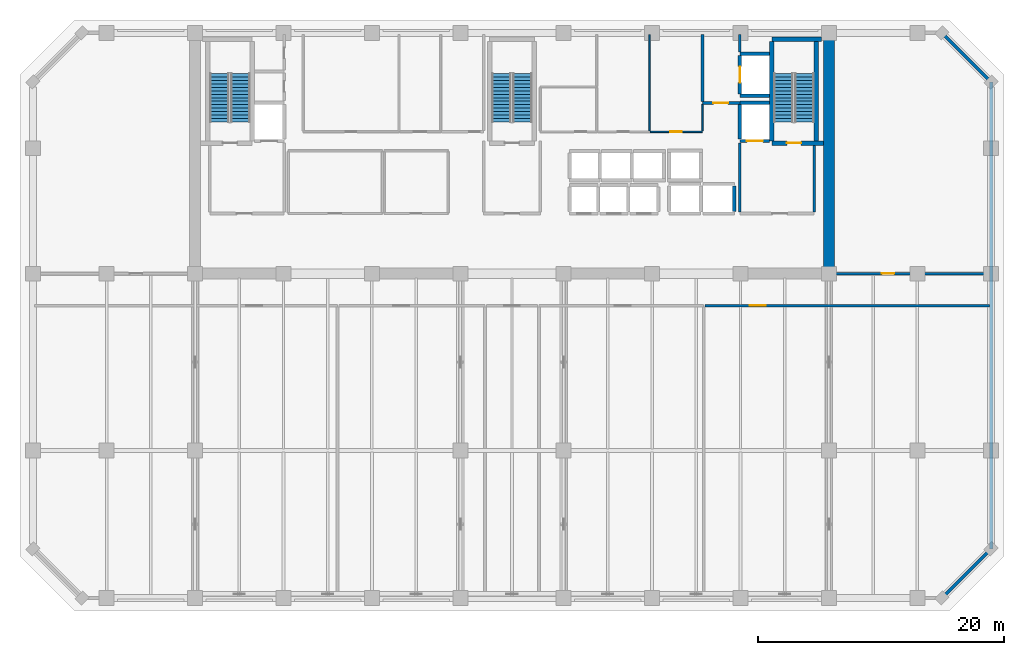
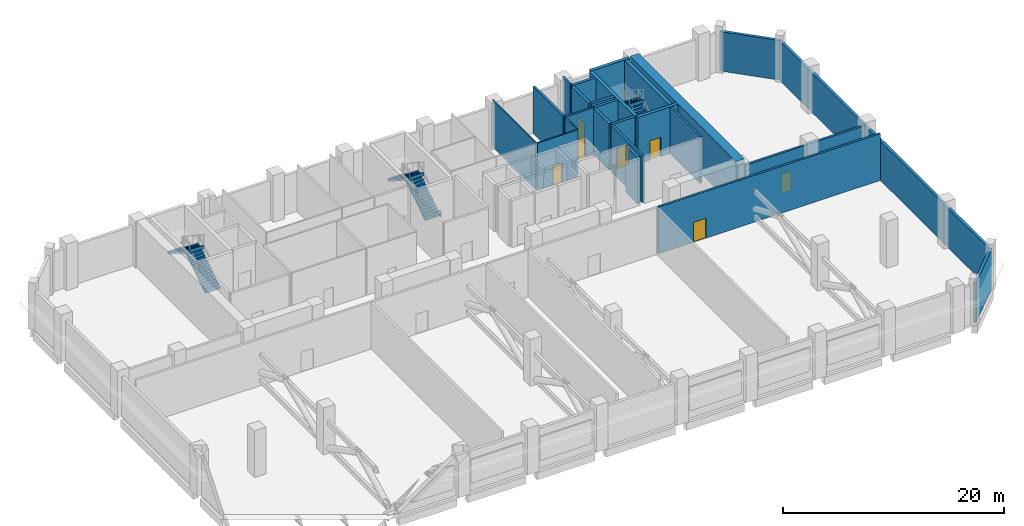
# One storey, part 10 of 13: 25 walls, 7 doors, 6 stair flights, 7 openings, 3 elements without a shape of their own.
"""IFC4 building model written with IfcOpenShell, lengths in metres."""

from ifc_helpers import new_model, si_unit, direction, frame, frame_2d, origin, place, context, subcontext, project, spatial, polyline, rectangle, outline, extrude, material, layer, layer_set, type_object, element, fill, aggregate, save


model = new_model("IFC4")

# Units and contexts
model_context = context("Model", 3, precision=1e-05, world=origin(), true_north=direction((0.0, 1.0)))
body_context = subcontext(model_context, "Body", "Model", "MODEL_VIEW")
ifc_project = project(units=[si_unit("LENGTHUNIT", "METRE"), si_unit("AREAUNIT", "SQUARE_METRE"), si_unit("VOLUMEUNIT", "CUBIC_METRE"), si_unit("PLANEANGLEUNIT", "RADIAN"), si_unit("MASSUNIT", "GRAM", prefix="KILO")], contexts=[model_context])

# Site, building, storey
site_placement = place(None, origin())
site = spatial("IfcSite", under=ifc_project, at=site_placement, CompositionType="ELEMENT")
building_placement = place(site_placement, origin())
building = spatial("IfcBuilding", under=site, at=building_placement, Name="Kaelvorn Grand Hotel", CompositionType="ELEMENT")
storey_placement = place(building_placement, frame((0.0, 0.0, 184.75)))
storey = spatial("IfcBuildingStorey", under=building, at=storey_placement, Name="L45", CompositionType="ELEMENT", Elevation=184.75)

# Walls
ifc_material_1 = material(Name="Concrete C60/75", Category="concrete")
ifc_layer_1 = layer(ifc_material_1, 0.89990234375)
ifc_layer_set_1 = layer_set([ifc_layer_1], Name="Concrete C60/75")
wall_type_1 = type_object("IfcWallType", Name="WL-CORE-900-C60", PredefinedType="SHEAR", material=ifc_layer_set_1)
wall_1_placement = place(storey_placement, frame((67.800048828125, 29.39990234375, 0.0), z_axis=(0.0, 0.0, 1.0), x_axis=(0.0, 1.0, 0.0)))
element("IfcWall", 1, at=wall_1_placement, inside=storey, type_object=wall_type_1, Name="L45 Rear-Core East Shear Wall", PredefinedType="SHEAR", context=body_context, shape_type="SweptSolid", body=[
    extrude(rectangle(XDim=19.2001953125, YDim=0.89990234375, at=frame_2d((9.60009765625, 0.0))), origin(), (0.0, 0.0, 1.0), 5.159912109375),
])
ifc_material_2 = material(Name="Concrete C40/50", Category="concrete")
ifc_layer_2 = layer(ifc_material_2, 0.280029296875)
ifc_layer_set_2 = layer_set([ifc_layer_2], Name="Concrete C40/50")
wall_type_2 = type_object("IfcWallType", Name="WL-EXT-280-C40", PredefinedType="SOLIDWALL", material=ifc_layer_set_2)
wall_2_placement = place(storey_placement, frame((77.0, 3.0, 0.0), z_axis=(0.0, 0.0, 1.0), x_axis=(0.707106781187, 0.707106781187, 0.0)))
element("IfcWall", 2, at=wall_2_placement, inside=storey, type_object=wall_type_2, Name="L45 Exterior Architectural Concrete Wall 02", PredefinedType="SOLIDWALL", context=body_context, shape_type="SweptSolid", body=[
    extrude(rectangle(XDim=5.65673828125, YDim=0.280029296875, at=frame_2d((2.828369140625, 0.0))), origin(), (0.0, 0.0, 1.0), 4.360107421875),
])
wall_3_placement = place(storey_placement, frame((81.0, 7.0, 0.0), z_axis=(0.0, 0.0, 1.0), x_axis=(0.0, 1.0, 0.0)))
element("IfcWall", 3, at=wall_3_placement, inside=storey, type_object=wall_type_2, Name="L45 Exterior Architectural Concrete Wall 03", PredefinedType="SOLIDWALL", context=body_context, shape_type="SweptSolid", body=[
    extrude(rectangle(XDim=38.0, YDim=0.280029296875, at=frame_2d((19.0, 0.0))), origin(), (0.0, 0.0, 1.0), 4.360107421875),
])
wall_4_placement = place(storey_placement, frame((81.0, 45.0, 0.0), z_axis=(0.0, 0.0, 1.0), x_axis=(-0.707106781187, 0.707106781187, 0.0)))
element("IfcWall", 4, at=wall_4_placement, inside=storey, type_object=wall_type_2, Name="L45 Exterior Architectural Concrete Wall 04", PredefinedType="SOLIDWALL", context=body_context, shape_type="SweptSolid", body=[
    extrude(rectangle(XDim=5.65673828125, YDim=0.280029296875, at=frame_2d((2.828369140625, 0.0))), origin(), (0.0, 0.0, 1.0), 4.360107421875),
])
ifc_material_3 = material(Name="Moisture-Resistant Tile & Stud Board")
ifc_layer_3 = layer(ifc_material_3, 0.125)
ifc_layer_set_3 = layer_set([ifc_layer_3], Name="Moisture-Resistant Tile & Stud Board")
wall_type_3 = type_object("IfcWallType", Name="WL-PART-125-WET", PredefinedType="PARTITIONING", material=ifc_layer_set_3)
wall_5_placement = place(storey_placement, frame((53.199951171875, 41.017578125, 0.0), z_axis=(0.0, 0.0, 1.0), x_axis=(0.0, 1.0, 0.0)))
element("IfcWall", 5, at=wall_5_placement, inside=storey, type_object=wall_type_3, Name="L45 Male Public Toilets E Partition", PredefinedType="PARTITIONING", context=body_context, shape_type="SweptSolid", body=[
    extrude(rectangle(XDim=7.83251953125, YDim=0.125, at=frame_2d((3.916259765625, 0.0))), origin(), (0.0, 0.0, 1.0), 5.159912109375),
])

# Wall, opening, door
wall_6_placement = place(storey_placement, frame((53.267578125, 40.949951171875, 0.0), z_axis=(0.0, 0.0, 1.0), x_axis=(1.0, 0.0, 0.0)))
wall_6 = element("IfcWall", 6, at=wall_6_placement, inside=storey, type_object=wall_type_3, Name="L45 Female Public Toilets S Partition", PredefinedType="PARTITIONING", context=body_context, shape_type="SweptSolid", body=[
    extrude(rectangle(XDim=4.232421875, YDim=0.125, at=frame_2d((2.1162109375, 0.0))), origin(), (0.0, 0.0, 1.0), 5.159912109375),
])
opening_1_placement = place(wall_6_placement, frame((1.632568359375, 0.0, 0.0)))
opening_1 = element("IfcOpeningElement", 7, at=opening_1_placement, cuts=wall_6, Name="Opening DI4", PredefinedType="OPENING", context=body_context, shape_type="SweptSolid", body=[
    extrude(rectangle(XDim=0.89990234375, YDim=2.10009765625, at=frame_2d((0.449951171875, 1.050048828125))), frame((0.0, 0.072509765625, 0.0), z_axis=(0.0, -1.0, 0.0), x_axis=(1.0, 0.0, 0.0)), (0.0, 0.0, 1.0), 0.14501953125),
])
ifc_material_4 = material(Name="Timber Veneer Leaf", Category="wood")
door_type_1 = type_object("IfcDoorType", Name="DR-INT-BATH-900x2100", OperationType="NOTDEFINED", PredefinedType="DOOR", material=ifc_material_4)
door_1_placement = place(opening_1_placement, origin())
door_1 = element("IfcDoor", 8, at=door_1_placement, inside=storey, type_object=door_type_1, Name="L45 Female Public Toilets Door", OperationType="SINGLE_SWING_LEFT", OverallHeight=2.10009765625, OverallWidth=0.89990234375, PredefinedType="DOOR", context=body_context, shape_type="SweptSolid", body=[
    extrude(rectangle(XDim=0.89990234375, YDim=2.10009765625, at=frame_2d((0.449951171875, 1.050048828125))), frame((0.0, 0.02490234375, 0.0), z_axis=(0.0, -1.0, 0.0), x_axis=(1.0, 0.0, 0.0)), (0.0, 0.0, 1.0), 0.050048828125),
])
fill(opening_1, door_1)

# Walls
wall_7_placement = place(storey_placement, frame((57.5, 41.017578125, 0.0), z_axis=(0.0, 0.0, 1.0), x_axis=(0.0, 1.0, 0.0)))
element("IfcWall", 9, at=wall_7_placement, inside=storey, type_object=wall_type_3, Name="L45 Female Public Toilets E Partition", PredefinedType="PARTITIONING", context=body_context, shape_type="SweptSolid", body=[
    extrude(rectangle(XDim=2.16748046875, YDim=0.125, at=frame_2d((1.083740234375, 0.0))), origin(), (0.0, 0.0, 1.0), 5.159912109375),
])
ifc_layer_4 = layer(ifc_material_2, 0.219970703125)
ifc_layer_set_4 = layer_set([ifc_layer_4], Name="Concrete C40/50")
wall_type_4 = type_object("IfcWallType", Name="WL-PART-220-EI120", PredefinedType="PARTITIONING", material=ifc_layer_set_4)
wall_8_placement = place(storey_placement, frame((60.550048828125, 34.4150390625, 0.0), z_axis=(0.0, 0.0, 1.0), x_axis=(0.0, 1.0, 0.0)))
element("IfcWall", 10, at=wall_8_placement, inside=storey, type_object=wall_type_4, Name="L45 Firefighting Lift Lobby 2 W Partition", PredefinedType="PARTITIONING", context=body_context, shape_type="SweptSolid", body=[
    extrude(rectangle(XDim=5.639892578125, YDim=0.219970703125, at=frame_2d((2.81982421875, 0.0))), origin(), (0.0, 0.0, 1.0), 5.159912109375),
])
wall_9_placement = place(storey_placement, frame((66.60009765625, 34.4150390625, 0.0), z_axis=(0.0, 0.0, 1.0), x_axis=(0.0, 1.0, 0.0)))
element("IfcWall", 11, at=wall_9_placement, inside=storey, type_object=wall_type_4, Name="L45 Firefighting Lift Lobby 2 E Partition", PredefinedType="PARTITIONING", context=body_context, shape_type="SweptSolid", body=[
    extrude(rectangle(XDim=5.429931640625, YDim=0.219970703125, at=frame_2d((2.71484375, 0.0))), origin(), (0.0, 0.0, 1.0), 5.159912109375),
])

# Wall, opening, door
wall_10_placement = place(storey_placement, frame((57.5, 43.300048828125, 0.0), z_axis=(0.0, 0.0, 1.0), x_axis=(1.0, 0.0, 0.0)))
wall_10 = element("IfcWall", 12, at=wall_10_placement, inside=storey, type_object=wall_type_4, Name="L45 Service Lift Lobby S Partition", PredefinedType="PARTITIONING", context=body_context, shape_type="SweptSolid", body=[
    extrude(rectangle(XDim=3.0400390625, YDim=0.219970703125, at=frame_2d((1.52001953125, 0.0))), origin(), (0.0, 0.0, 1.0), 5.159912109375),
])
opening_2_placement = place(wall_10_placement, frame((0.89990234375, 0.0, 0.0)))
opening_2 = element("IfcOpeningElement", 13, at=opening_2_placement, cuts=wall_10, Name="Opening DI2", PredefinedType="OPENING", context=body_context, shape_type="SweptSolid", body=[
    extrude(rectangle(XDim=1.199951171875, YDim=2.14990234375, at=frame_2d((0.60009765625, 1.074951171875))), frame((0.0, 0.1201171875, 0.0), z_axis=(0.0, -1.0, 0.0), x_axis=(1.0, 0.0, 0.0)), (0.0, 0.0, 1.0), 0.239990234375),
])
ifc_material_5 = material(Name="Timber Veneer Fire Leaf", Category="wood")
door_type_2 = type_object("IfcDoorType", Name="DR-INT-FFLOB-1200x2150", OperationType="NOTDEFINED", PredefinedType="DOOR", material=ifc_material_5)
door_2_placement = place(opening_2_placement, origin())
door_2 = element("IfcDoor", 14, at=door_2_placement, inside=storey, type_object=door_type_2, Name="L45 Service Lift Lobby Door", OperationType="SINGLE_SWING_LEFT", OverallHeight=2.14990234375, OverallWidth=1.199951171875, PredefinedType="DOOR", context=body_context, shape_type="SweptSolid", body=[
    extrude(rectangle(XDim=1.199951171875, YDim=2.14990234375, at=frame_2d((0.60009765625, 1.074951171875))), frame((0.0, 0.02490234375, 0.0), z_axis=(0.0, -1.0, 0.0), x_axis=(1.0, 0.0, 0.0)), (0.0, 0.0, 1.0), 0.050048828125),
])
fill(opening_2, door_2)

# Walls
wall_11_placement = place(storey_placement, frame((57.5, 43.4150390625, 0.0), z_axis=(0.0, 0.0, 1.0), x_axis=(0.0, 1.0, 0.0)))
element("IfcWall", 15, at=wall_11_placement, inside=storey, type_object=wall_type_4, Name="L45 Service Lift Lobby W Partition", PredefinedType="PARTITIONING", context=body_context, shape_type="SweptSolid", body=[
    extrude(rectangle(XDim=5.43505859375, YDim=0.219970703125, at=frame_2d((2.717529296875, 0.0))), origin(), (0.0, 0.0, 1.0), 5.159912109375),
])
wall_12_placement = place(storey_placement, frame((60.550048828125, 47.445068359375, 0.0), z_axis=(0.0, 0.0, 1.0), x_axis=(0.0, 1.0, 0.0)))
element("IfcWall", 16, at=wall_12_placement, inside=storey, type_object=wall_type_4, Name="L45 Service Lift Lobby E Partition", PredefinedType="PARTITIONING", context=body_context, shape_type="SweptSolid", body=[
    extrude(rectangle(XDim=1.405029296875, YDim=0.219970703125, at=frame_2d((0.70263671875, 0.0))), origin(), (0.0, 0.0, 1.0), 5.159912109375),
])

# Wall, opening, door
wall_13_placement = place(storey_placement, frame((68.2548828125, 29.39990234375, 0.0), z_axis=(0.0, 0.0, 1.0), x_axis=(1.0, 0.0, 0.0)))
wall_13 = element("IfcWall", 17, at=wall_13_placement, inside=storey, type_object=wall_type_4, Name="L45 North-East Refuge Area S Partition", PredefinedType="PARTITIONING", context=body_context, shape_type="SweptSolid", body=[
    extrude(rectangle(XDim=12.59521484375, YDim=0.219970703125, at=frame_2d((6.297607421875, 0.0))), origin(), (0.0, 0.0, 1.0), 4.510009765625),
])
opening_3_placement = place(wall_13_placement, frame((3.844970703125, 0.0, 0.0)))
opening_3 = element("IfcOpeningElement", 18, at=opening_3_placement, cuts=wall_13, Name="Opening DI3", PredefinedType="OPENING", context=body_context, shape_type="SweptSolid", body=[
    extrude(rectangle(XDim=1.0, YDim=2.14990234375, at=frame_2d((0.5, 1.074951171875))), frame((0.0, 0.1201171875, 0.0), z_axis=(0.0, -1.0, 0.0), x_axis=(1.0, 0.0, 0.0)), (0.0, 0.0, 1.0), 0.239990234375),
])
door_type_3 = type_object("IfcDoorType", Name="DR-INT-GUEST-1000x2150", OperationType="NOTDEFINED", PredefinedType="DOOR", material=ifc_material_5)
door_3_placement = place(opening_3_placement, origin())
door_3 = element("IfcDoor", 19, at=door_3_placement, inside=storey, type_object=door_type_3, Name="L45 North-East Refuge Area Door", OperationType="SINGLE_SWING_LEFT", OverallHeight=2.14990234375, OverallWidth=1.0, PredefinedType="DOOR", context=body_context, shape_type="SweptSolid", body=[
    extrude(rectangle(XDim=1.0, YDim=2.14990234375, at=frame_2d((0.5, 1.074951171875))), frame((0.0, 0.02490234375, 0.0), z_axis=(0.0, -1.0, 0.0), x_axis=(1.0, 0.0, 0.0)), (0.0, 0.0, 1.0), 0.050048828125),
])
fill(opening_3, door_3)

wall_14_placement = place(storey_placement, frame((57.715087890625, 26.800048828125, 0.0), z_axis=(0.0, 0.0, 1.0), x_axis=(1.0, 0.0, 0.0)))
wall_14 = element("IfcWall", 20, at=wall_14_placement, inside=storey, type_object=wall_type_4, Name="L45 Domestic & Fire Break Water Tank & Pump Room N Partition", PredefinedType="PARTITIONING", context=body_context, shape_type="SweptSolid", body=[
    extrude(rectangle(XDim=23.135009765625, YDim=0.219970703125, at=frame_2d((11.5673828125, 0.0))), origin(), (0.0, 0.0, 1.0), 5.159912109375),
])
opening_4_placement = place(wall_14_placement, frame((3.635009765625, 0.0, 0.0)))
opening_4 = element("IfcOpeningElement", 21, at=opening_4_placement, cuts=wall_14, Name="Opening DI6", PredefinedType="OPENING", context=body_context, shape_type="SweptSolid", body=[
    extrude(rectangle(XDim=1.300048828125, YDim=2.199951171875, at=frame_2d((0.64990234375, 1.10009765625))), frame((0.0, 0.1201171875, 0.0), z_axis=(0.0, -1.0, 0.0), x_axis=(1.0, 0.0, 0.0)), (0.0, 0.0, 1.0), 0.239990234375),
])
ifc_material_6 = material(Name="Powder-Coated Steel Leaf", Category="steel")
door_type_4 = type_object("IfcDoorType", Name="DR-INT-PLANT-1300x2200", OperationType="DOUBLE_DOOR_SINGLE_SWING", PredefinedType="DOOR", material=ifc_material_6)
door_4_placement = place(opening_4_placement, origin())
door_4 = element("IfcDoor", 22, at=door_4_placement, inside=storey, type_object=door_type_4, Name="L45 Domestic & Fire Break Water Tank & Pump Room Door", OperationType="DOUBLE_DOOR_SINGLE_SWING", OverallHeight=2.199951171875, OverallWidth=1.300048828125, PredefinedType="DOOR", context=body_context, shape_type="SweptSolid", body=[
    extrude(rectangle(XDim=1.300048828125, YDim=2.199951171875, at=frame_2d((0.64990234375, 1.10009765625))), frame((0.0, 0.02490234375, 0.0), z_axis=(0.0, -1.0, 0.0), x_axis=(1.0, 0.0, 0.0)), (0.0, 0.0, 1.0), 0.050048828125),
])
fill(opening_4, door_4)

# Wall
ifc_material_7 = material(Name="Concrete C50/60", Category="concrete")
ifc_layer_5 = layer(ifc_material_7, 0.280029296875)
ifc_layer_set_5 = layer_set([ifc_layer_5], Name="Concrete C50/60")
wall_type_5 = type_object("IfcWallType", Name="WL-SHAFT-280-C50", PredefinedType="SHEAR", material=ifc_layer_set_5)
wall_15_placement = place(storey_placement, frame((60.10009765625, 34.445068359375, 0.0), z_axis=(0.0, 0.0, 1.0), x_axis=(0.0, 1.0, 0.0)))
element("IfcWall", 23, at=wall_15_placement, inside=storey, type_object=wall_type_5, Name="L45 Lift OL-2 Shaft East Wall", PredefinedType="SHEAR", context=body_context, shape_type="SweptSolid", body=[
    extrude(rectangle(XDim=2.10986328125, YDim=0.280029296875, at=frame_2d((1.054931640625, 0.0))), origin(), (0.0, 0.0, 1.0), 5.159912109375),
])

# Wall, opening, door
wall_16_placement = place(storey_placement, frame((60.550048828125, 40.199951171875, 0.0), z_axis=(0.0, 0.0, 1.0), x_axis=(1.0, 0.0, 0.0)))
wall_16 = element("IfcWall", 24, at=wall_16_placement, inside=storey, type_object=wall_type_5, Name="L45 Lift FFL2 Shaft South Wall", PredefinedType="SHEAR", context=body_context, shape_type="SweptSolid", body=[
    extrude(rectangle(XDim=2.4150390625, YDim=0.280029296875, at=frame_2d((1.20751953125, 0.0))), origin(), (0.0, 0.0, 1.0), 5.159912109375),
])
opening_5_placement = place(wall_16_placement, frame((0.574951171875, 0.0, 0.0)))
opening_5 = element("IfcOpeningElement", 25, at=opening_5_placement, cuts=wall_16, Name="Opening LD-FFL2", PredefinedType="OPENING", context=body_context, shape_type="SweptSolid", body=[
    extrude(rectangle(XDim=1.300048828125, YDim=2.300048828125, at=frame_2d((0.64990234375, 1.14990234375))), frame((0.0, 0.14990234375, 0.0), z_axis=(0.0, -1.0, 0.0), x_axis=(1.0, 0.0, 0.0)), (0.0, 0.0, 1.0), 0.300048828125),
])
ifc_material_8 = material(Name="Stainless Steel", Category="steel")
door_type_5 = type_object("IfcDoorType", Name="DR-LIFT-SERV-1300x2300", OperationType="DOUBLE_DOOR_SLIDING", PredefinedType="DOOR", material=ifc_material_8)
door_5_placement = place(opening_5_placement, origin())
door_5 = element("IfcDoor", 26, at=door_5_placement, inside=storey, type_object=door_type_5, Name="L45 Lift FFL2 Sliding Landing Door LD-FFL2", OperationType="DOUBLE_DOOR_SLIDING", OverallHeight=2.300048828125, OverallWidth=1.300048828125, PredefinedType="DOOR", context=body_context, shape_type="SweptSolid", body=[
    extrude(rectangle(XDim=1.300048828125, YDim=2.300048828125, at=frame_2d((0.64990234375, 1.14990234375))), frame((0.0, 0.02490234375, 0.0), z_axis=(0.0, -1.0, 0.0), x_axis=(1.0, 0.0, 0.0)), (0.0, 0.0, 1.0), 0.050048828125),
])
fill(opening_5, door_5)

# Walls
wall_17_placement = place(storey_placement, frame((60.550048828125, 43.300048828125, 0.0), z_axis=(0.0, 0.0, 1.0), x_axis=(1.0, 0.0, 0.0)))
element("IfcWall", 27, at=wall_17_placement, inside=storey, type_object=wall_type_5, Name="L45 Lift FFL2 Shaft North Wall", PredefinedType="SHEAR", context=body_context, shape_type="SweptSolid", body=[
    extrude(rectangle(XDim=2.4150390625, YDim=0.280029296875, at=frame_2d((1.20751953125, 0.0))), origin(), (0.0, 0.0, 1.0), 5.159912109375),
])
wall_18_placement = place(storey_placement, frame((60.550048828125, 40.344970703125, 0.0), z_axis=(0.0, 0.0, 1.0), x_axis=(0.0, 1.0, 0.0)))
element("IfcWall", 28, at=wall_18_placement, inside=storey, type_object=wall_type_5, Name="L45 Lift FFL2 Shaft West Wall", PredefinedType="SHEAR", context=body_context, shape_type="SweptSolid", body=[
    extrude(rectangle(XDim=2.81005859375, YDim=0.280029296875, at=frame_2d((1.405029296875, 0.0))), origin(), (0.0, 0.0, 1.0), 5.159912109375),
])
for number, where, z_axis, x_axis, name in (
    (29, (60.550048828125, 43.89990234375, 0.0), (0.0, 0.0, 1.0), (1.0, 0.0, 0.0), "L45 Lift SV1 Shaft South Wall"),
    (30, (60.550048828125, 47.300048828125, 0.0), (0.0, 0.0, 1.0), (1.0, 0.0, 0.0), "L45 Lift SV1 Shaft North Wall"),
):
    element("IfcWall", number, at=place(storey_placement, frame(where, z_axis=z_axis, x_axis=x_axis)), inside=storey, type_object=wall_type_5, Name=name, PredefinedType="SHEAR", context=body_context, shape_type="SweptSolid", body=[
        extrude(rectangle(XDim=2.4150390625, YDim=0.280029296875, at=frame_2d((1.20751953125, 0.0))), origin(), (0.0, 0.0, 1.0), 5.159912109375),
    ])

# Wall, opening, door
wall_19_placement = place(storey_placement, frame((60.550048828125, 44.044921875, 0.0), z_axis=(0.0, 0.0, 1.0), x_axis=(0.0, 1.0, 0.0)))
wall_19 = element("IfcWall", 31, at=wall_19_placement, inside=storey, type_object=wall_type_5, Name="L45 Lift SV1 Shaft West Wall", PredefinedType="SHEAR", context=body_context, shape_type="SweptSolid", body=[
    extrude(rectangle(XDim=3.110107421875, YDim=0.280029296875, at=frame_2d((1.55517578125, 0.0))), origin(), (0.0, 0.0, 1.0), 5.159912109375),
])
opening_6_placement = place(wall_19_placement, frame((0.905029296875, 0.0, 0.0)))
opening_6 = element("IfcOpeningElement", 32, at=opening_6_placement, cuts=wall_19, Name="Opening LD-SV1", PredefinedType="OPENING", context=body_context, shape_type="SweptSolid", body=[
    extrude(rectangle(XDim=1.300048828125, YDim=2.300048828125, at=frame_2d((0.64990234375, 1.14990234375))), frame((0.0, 0.14990234375, 0.0), z_axis=(0.0, -1.0, 0.0), x_axis=(1.0, 0.0, 0.0)), (0.0, 0.0, 1.0), 0.300048828125),
])
door_6_placement = place(opening_6_placement, origin())
door_6 = element("IfcDoor", 33, at=door_6_placement, inside=storey, type_object=door_type_5, Name="L45 Lift SV1 Sliding Landing Door LD-SV1", OperationType="DOUBLE_DOOR_SLIDING", OverallHeight=2.300048828125, OverallWidth=1.300048828125, PredefinedType="DOOR", context=body_context, shape_type="SweptSolid", body=[
    extrude(rectangle(XDim=1.300048828125, YDim=2.300048828125, at=frame_2d((0.64990234375, 1.14990234375))), frame((0.0, 0.02490234375, 0.0), z_axis=(0.0, -1.0, 0.0), x_axis=(1.0, 0.0, 0.0)), (0.0, 0.0, 1.0), 0.050048828125),
])
fill(opening_6, door_6)

ifc_layer_6 = layer(ifc_material_1, 0.35009765625)
ifc_layer_set_6 = layer_set([ifc_layer_6], Name="Concrete C60/75")
wall_type_6 = type_object("IfcWallType", Name="WL-SHAFT-350-C60", PredefinedType="SHEAR", material=ifc_layer_set_6)
wall_20_placement = place(storey_placement, frame((63.14501953125, 40.02490234375, 0.0), z_axis=(0.0, 0.0, 1.0), x_axis=(1.0, 0.0, 0.0)))
wall_20 = element("IfcWall", 34, at=wall_20_placement, inside=storey, type_object=wall_type_6, Name="L45 ST3 Stair Shaft South Wall", PredefinedType="SHEAR", context=body_context, shape_type="SweptSolid", body=[
    extrude(rectangle(XDim=4.199951171875, YDim=0.35009765625, at=frame_2d((2.10009765625, 0.0))), origin(), (0.0, 0.0, 1.0), 5.159912109375),
])
opening_7_placement = place(wall_20_placement, frame((1.239990234375, 0.0, 0.0)))
opening_7 = element("IfcOpeningElement", 35, at=opening_7_placement, cuts=wall_20, Name="Opening DI1", PredefinedType="OPENING", context=body_context, shape_type="SweptSolid", body=[
    extrude(rectangle(XDim=1.14990234375, YDim=2.14990234375, at=frame_2d((0.574951171875, 1.074951171875))), frame((0.0, 0.18505859375, 0.0), z_axis=(0.0, -1.0, 0.0), x_axis=(1.0, 0.0, 0.0)), (0.0, 0.0, 1.0), 0.3701171875),
])
door_type_6 = type_object("IfcDoorType", Name="DR-INT-STAIR-1150x2150", OperationType="NOTDEFINED", PredefinedType="DOOR", material=ifc_material_5)
door_7_placement = place(opening_7_placement, origin())
door_7 = element("IfcDoor", 36, at=door_7_placement, inside=storey, type_object=door_type_6, Name="L45 ST3 Exit Stair Fire Door", OperationType="SINGLE_SWING_LEFT", OverallHeight=2.14990234375, OverallWidth=1.14990234375, PredefinedType="DOOR", context=body_context, shape_type="SweptSolid", body=[
    extrude(rectangle(XDim=1.14990234375, YDim=2.14990234375, at=frame_2d((0.574951171875, 1.074951171875))), frame((0.0, 0.02490234375, 0.0), z_axis=(0.0, -1.0, 0.0), x_axis=(1.0, 0.0, 0.0)), (0.0, 0.0, 1.0), 0.050048828125),
])
fill(opening_7, door_7)

# Walls
wall_21_placement = place(storey_placement, frame((63.14501953125, 48.47509765625, 0.0), z_axis=(0.0, 0.0, 1.0), x_axis=(1.0, 0.0, 0.0)))
element("IfcWall", 37, at=wall_21_placement, inside=storey, type_object=wall_type_6, Name="L45 ST3 Stair Shaft North Wall", PredefinedType="SHEAR", context=body_context, shape_type="SweptSolid", body=[
    extrude(rectangle(XDim=4.050048828125, YDim=0.35009765625, at=frame_2d((2.02490234375, 0.0))), origin(), (0.0, 0.0, 1.0), 5.159912109375),
])
for number, where, z_axis, x_axis, name in (
    (38, (63.14501953125, 40.205078125, 0.0), (0.0, 0.0, 1.0), (0.0, 1.0, 0.0), "L45 ST3 Stair Shaft West Wall"),
    (39, (66.77490234375, 40.205078125, 0.0), (0.0, 0.0, 1.0), (0.0, 1.0, 0.0), "L45 ST3 Stair Shaft East Wall"),
):
    element("IfcWall", number, at=place(storey_placement, frame(where, z_axis=z_axis, x_axis=x_axis)), inside=storey, type_object=wall_type_6, Name=name, PredefinedType="SHEAR", context=body_context, shape_type="SweptSolid", body=[
        extrude(rectangle(XDim=8.08984375, YDim=0.35009765625, at=frame_2d((4.044921875, 0.0))), origin(), (0.0, 0.0, 1.0), 5.159912109375),
    ])

# Stair, stair flights
stair_type = type_object("IfcStairType", Name="STR-DOG-1560-R04", PredefinedType="HALF_TURN_STAIR", material=ifc_material_2)
stair_1_placement = place(storey_placement, origin())
stair_1 = element("IfcStair", 40, at=stair_1_placement, inside=storey, type_object=stair_type, Name="L45 West Core Exit Stair ST1", PredefinedType="HALF_TURN_STAIR")
stair_flight_type = type_object("IfcStairFlightType", Name="FLG-DOG-1560-R04", PredefinedType="STRAIGHT", material=ifc_material_2)
stair_flight_1_placement = place(storey_placement, frame((19.89990234375, 41.760009765625, 0.0), z_axis=(0.0, 0.0, 1.0), x_axis=(0.0, 1.0, 0.0)))
stair_flight_1 = element("IfcStairFlight", 41, at=stair_flight_1_placement, type_object=stair_flight_type, Name="ST1 flight 1", NumberOfRisers=15, NumberOfTreads=14, PredefinedType="STRAIGHT", RiserHeight=0.18, TreadLength=0.28, context=body_context, shape_type="SweptSolid", body=[
    extrude(outline(polyline([(-0.0048828125, 0.0), (-0.0048828125, 0.0400390625), (0.0, 0.179931640625), (0.280029296875, 0.179931640625), (0.280029296875, 0.360107421875), (0.56005859375, 0.360107421875), (0.56005859375, 0.5400390625), (0.840087890625, 0.5400390625), (0.840087890625, 0.719970703125), (1.1201171875, 0.719970703125), (1.1201171875, 0.89990234375), (1.39990234375, 0.89990234375), (1.39990234375, 1.080078125), (1.679931640625, 1.080078125), (1.679931640625, 1.260009765625), (1.9599609375, 1.260009765625), (1.9599609375, 1.43994140625), (2.239990234375, 1.43994140625), (2.239990234375, 1.6201171875), (2.52001953125, 1.6201171875), (2.52001953125, 1.800048828125), (2.800048828125, 1.800048828125), (2.800048828125, 1.97998046875), (3.080078125, 1.97998046875), (3.080078125, 2.159912109375), (3.360107421875, 2.159912109375), (3.360107421875, 2.340087890625), (3.639892578125, 2.340087890625), (3.639892578125, 2.52001953125), (3.919921875, 2.52001953125), (3.919921875, 2.699951171875), (3.925048828125, 2.699951171875), (3.925048828125, 2.341796875), (0.277099609375, 0.0), (-0.0048828125, 0.0)])), frame((0.0, 0.780029296875, 0.0), z_axis=(0.0, -1.0, 0.0), x_axis=(1.0, 0.0, 0.0)), (0.0, 0.0, 1.0), 1.56005859375),
])
stair_flight_2_placement = place(storey_placement, frame((18.179931640625, 45.679931640625, 2.699951171875), z_axis=(0.0, 0.0, 1.0), x_axis=(0.0, -1.0, 0.0)))
stair_flight_2 = element("IfcStairFlight", 42, at=stair_flight_2_placement, type_object=stair_flight_type, Name="ST1 flight 2", NumberOfRisers=15, NumberOfTreads=14, PredefinedType="STRAIGHT", RiserHeight=0.18, TreadLength=0.28, context=body_context, shape_type="SweptSolid", body=[
    extrude(outline(polyline([(-0.0048828125, 0.0), (-0.0048828125, 0.0400390625), (0.0, 0.179931640625), (0.280029296875, 0.179931640625), (0.280029296875, 0.360107421875), (0.56005859375, 0.360107421875), (0.56005859375, 0.5400390625), (0.840087890625, 0.5400390625), (0.840087890625, 0.719970703125), (1.1201171875, 0.719970703125), (1.1201171875, 0.89990234375), (1.39990234375, 0.89990234375), (1.39990234375, 1.080078125), (1.679931640625, 1.080078125), (1.679931640625, 1.260009765625), (1.9599609375, 1.260009765625), (1.9599609375, 1.43994140625), (2.239990234375, 1.43994140625), (2.239990234375, 1.6201171875), (2.52001953125, 1.6201171875), (2.52001953125, 1.800048828125), (2.800048828125, 1.800048828125), (2.800048828125, 1.97998046875), (3.080078125, 1.97998046875), (3.080078125, 2.159912109375), (3.360107421875, 2.159912109375), (3.360107421875, 2.340087890625), (3.639892578125, 2.340087890625), (3.639892578125, 2.52001953125), (3.919921875, 2.52001953125), (3.919921875, 2.699951171875), (3.925048828125, 2.699951171875), (3.925048828125, 2.341796875), (0.277099609375, 0.0), (-0.0048828125, 0.0)])), frame((0.0, 0.780029296875, 0.0), z_axis=(0.0, -1.0, 0.0), x_axis=(1.0, 0.0, 0.0)), (0.0, 0.0, 1.0), 1.56005859375),
])
aggregate(stair_1, [stair_flight_1, stair_flight_2])

stair_2_placement = place(storey_placement, origin())
stair_2 = element("IfcStair", 43, at=stair_2_placement, inside=storey, type_object=stair_type, Name="L45 Central Core Exit Stair ST2", PredefinedType="HALF_TURN_STAIR")
stair_flight_3_placement = place(storey_placement, frame((42.860107421875, 41.760009765625, 0.0), z_axis=(0.0, 0.0, 1.0), x_axis=(0.0, 1.0, 0.0)))
stair_flight_3 = element("IfcStairFlight", 44, at=stair_flight_3_placement, type_object=stair_flight_type, Name="ST2 flight 1", NumberOfRisers=15, NumberOfTreads=14, PredefinedType="STRAIGHT", RiserHeight=0.18, TreadLength=0.28, context=body_context, shape_type="SweptSolid", body=[
    extrude(outline(polyline([(-0.0048828125, 0.0), (-0.0048828125, 0.0400390625), (0.0, 0.179931640625), (0.280029296875, 0.179931640625), (0.280029296875, 0.360107421875), (0.56005859375, 0.360107421875), (0.56005859375, 0.5400390625), (0.840087890625, 0.5400390625), (0.840087890625, 0.719970703125), (1.1201171875, 0.719970703125), (1.1201171875, 0.89990234375), (1.39990234375, 0.89990234375), (1.39990234375, 1.080078125), (1.679931640625, 1.080078125), (1.679931640625, 1.260009765625), (1.9599609375, 1.260009765625), (1.9599609375, 1.43994140625), (2.239990234375, 1.43994140625), (2.239990234375, 1.6201171875), (2.52001953125, 1.6201171875), (2.52001953125, 1.800048828125), (2.800048828125, 1.800048828125), (2.800048828125, 1.97998046875), (3.080078125, 1.97998046875), (3.080078125, 2.159912109375), (3.360107421875, 2.159912109375), (3.360107421875, 2.340087890625), (3.639892578125, 2.340087890625), (3.639892578125, 2.52001953125), (3.919921875, 2.52001953125), (3.919921875, 2.699951171875), (3.925048828125, 2.699951171875), (3.925048828125, 2.341796875), (0.277099609375, 0.0), (-0.0048828125, 0.0)])), frame((0.0, 0.780029296875, 0.0), z_axis=(0.0, -1.0, 0.0), x_axis=(1.0, 0.0, 0.0)), (0.0, 0.0, 1.0), 1.56005859375),
])
stair_flight_4_placement = place(storey_placement, frame((41.139892578125, 45.679931640625, 2.699951171875), z_axis=(0.0, 0.0, 1.0), x_axis=(0.0, -1.0, 0.0)))
stair_flight_4 = element("IfcStairFlight", 45, at=stair_flight_4_placement, type_object=stair_flight_type, Name="ST2 flight 2", NumberOfRisers=15, NumberOfTreads=14, PredefinedType="STRAIGHT", RiserHeight=0.18, TreadLength=0.28, context=body_context, shape_type="SweptSolid", body=[
    extrude(outline(polyline([(-0.0048828125, 0.0), (-0.0048828125, 0.0400390625), (0.0, 0.179931640625), (0.280029296875, 0.179931640625), (0.280029296875, 0.360107421875), (0.56005859375, 0.360107421875), (0.56005859375, 0.5400390625), (0.840087890625, 0.5400390625), (0.840087890625, 0.719970703125), (1.1201171875, 0.719970703125), (1.1201171875, 0.89990234375), (1.39990234375, 0.89990234375), (1.39990234375, 1.080078125), (1.679931640625, 1.080078125), (1.679931640625, 1.260009765625), (1.9599609375, 1.260009765625), (1.9599609375, 1.43994140625), (2.239990234375, 1.43994140625), (2.239990234375, 1.6201171875), (2.52001953125, 1.6201171875), (2.52001953125, 1.800048828125), (2.800048828125, 1.800048828125), (2.800048828125, 1.97998046875), (3.080078125, 1.97998046875), (3.080078125, 2.159912109375), (3.360107421875, 2.159912109375), (3.360107421875, 2.340087890625), (3.639892578125, 2.340087890625), (3.639892578125, 2.52001953125), (3.919921875, 2.52001953125), (3.919921875, 2.699951171875), (3.925048828125, 2.699951171875), (3.925048828125, 2.341796875), (0.277099609375, 0.0), (-0.0048828125, 0.0)])), frame((0.0, 0.780029296875, 0.0), z_axis=(0.0, -1.0, 0.0), x_axis=(1.0, 0.0, 0.0)), (0.0, 0.0, 1.0), 1.56005859375),
])
aggregate(stair_2, [stair_flight_3, stair_flight_4])

stair_3_placement = place(storey_placement, origin())
stair_3 = element("IfcStair", 46, at=stair_3_placement, inside=storey, type_object=stair_type, Name="L45 East Core Exit Stair ST3", PredefinedType="HALF_TURN_STAIR")
stair_flight_5_placement = place(storey_placement, frame((65.820068359375, 41.760009765625, 0.0), z_axis=(0.0, 0.0, 1.0), x_axis=(0.0, 1.0, 0.0)))
stair_flight_5 = element("IfcStairFlight", 47, at=stair_flight_5_placement, type_object=stair_flight_type, Name="ST3 flight 1", NumberOfRisers=15, NumberOfTreads=14, PredefinedType="STRAIGHT", RiserHeight=0.18, TreadLength=0.28, context=body_context, shape_type="SweptSolid", body=[
    extrude(outline(polyline([(-0.0048828125, 0.0), (-0.0048828125, 0.0400390625), (0.0, 0.179931640625), (0.280029296875, 0.179931640625), (0.280029296875, 0.360107421875), (0.56005859375, 0.360107421875), (0.56005859375, 0.5400390625), (0.840087890625, 0.5400390625), (0.840087890625, 0.719970703125), (1.1201171875, 0.719970703125), (1.1201171875, 0.89990234375), (1.39990234375, 0.89990234375), (1.39990234375, 1.080078125), (1.679931640625, 1.080078125), (1.679931640625, 1.260009765625), (1.9599609375, 1.260009765625), (1.9599609375, 1.43994140625), (2.239990234375, 1.43994140625), (2.239990234375, 1.6201171875), (2.52001953125, 1.6201171875), (2.52001953125, 1.800048828125), (2.800048828125, 1.800048828125), (2.800048828125, 1.97998046875), (3.080078125, 1.97998046875), (3.080078125, 2.159912109375), (3.360107421875, 2.159912109375), (3.360107421875, 2.340087890625), (3.639892578125, 2.340087890625), (3.639892578125, 2.52001953125), (3.919921875, 2.52001953125), (3.919921875, 2.699951171875), (3.925048828125, 2.699951171875), (3.925048828125, 2.341796875), (0.277099609375, 0.0), (-0.0048828125, 0.0)])), frame((0.0, 0.780029296875, 0.0), z_axis=(0.0, -1.0, 0.0), x_axis=(1.0, 0.0, 0.0)), (0.0, 0.0, 1.0), 1.56005859375),
])
stair_flight_6_placement = place(storey_placement, frame((64.10009765625, 45.679931640625, 2.699951171875), z_axis=(0.0, 0.0, 1.0), x_axis=(0.0, -1.0, 0.0)))
stair_flight_6 = element("IfcStairFlight", 48, at=stair_flight_6_placement, type_object=stair_flight_type, Name="ST3 flight 2", NumberOfRisers=15, NumberOfTreads=14, PredefinedType="STRAIGHT", RiserHeight=0.18, TreadLength=0.28, context=body_context, shape_type="SweptSolid", body=[
    extrude(outline(polyline([(-0.0048828125, 0.0), (-0.0048828125, 0.0400390625), (0.0, 0.179931640625), (0.280029296875, 0.179931640625), (0.280029296875, 0.360107421875), (0.56005859375, 0.360107421875), (0.56005859375, 0.5400390625), (0.840087890625, 0.5400390625), (0.840087890625, 0.719970703125), (1.1201171875, 0.719970703125), (1.1201171875, 0.89990234375), (1.39990234375, 0.89990234375), (1.39990234375, 1.080078125), (1.679931640625, 1.080078125), (1.679931640625, 1.260009765625), (1.9599609375, 1.260009765625), (1.9599609375, 1.43994140625), (2.239990234375, 1.43994140625), (2.239990234375, 1.6201171875), (2.52001953125, 1.6201171875), (2.52001953125, 1.800048828125), (2.800048828125, 1.800048828125), (2.800048828125, 1.97998046875), (3.080078125, 1.97998046875), (3.080078125, 2.159912109375), (3.360107421875, 2.159912109375), (3.360107421875, 2.340087890625), (3.639892578125, 2.340087890625), (3.639892578125, 2.52001953125), (3.919921875, 2.52001953125), (3.919921875, 2.699951171875), (3.925048828125, 2.699951171875), (3.925048828125, 2.341796875), (0.277099609375, 0.0), (-0.0048828125, 0.0)])), frame((0.0, 0.780029296875, 0.0), z_axis=(0.0, -1.0, 0.0), x_axis=(1.0, 0.0, 0.0)), (0.0, 0.0, 1.0), 1.56005859375),
])
aggregate(stair_3, [stair_flight_5, stair_flight_6])

save(model, "model.ifc")
